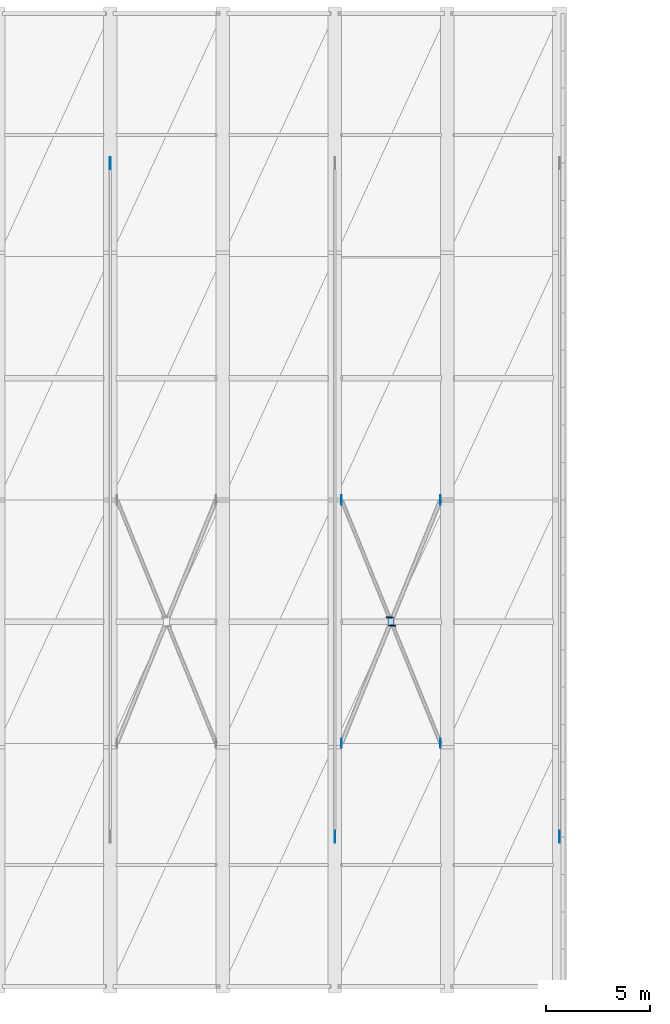
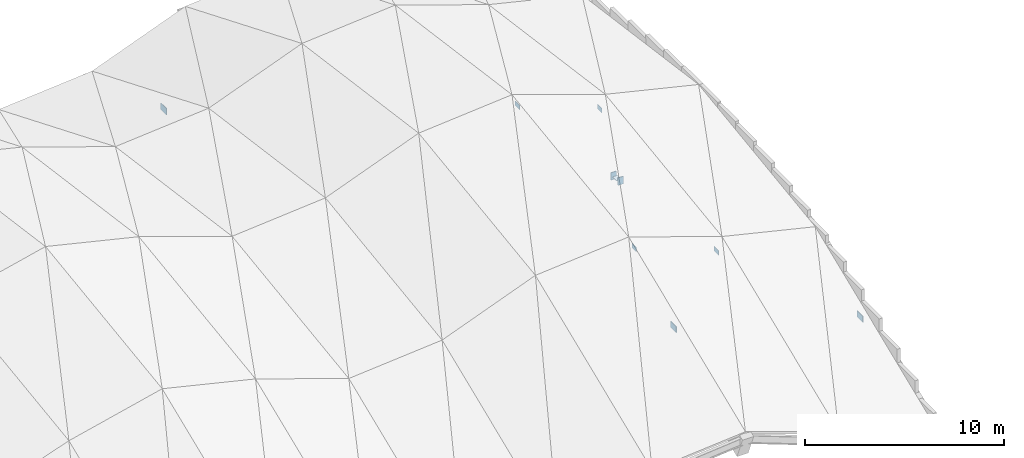
# One storey, part 12 of 22: 10 plates.
"""IFC4 building model written with IfcOpenShell, lengths in metres."""

from ifc_helpers import new_model, si_unit, direction, frame, origin, origin_2d, place, context, subcontext, project, spatial, rectangle, extrude, material, layer, layer_set, type_object, element, save


model = new_model("IFC4")

# Units and contexts
model_context = context("Model", 3, precision=1e-05, world=origin(), true_north=direction((0.0, 1.0)))
body_context = subcontext(model_context, "Body", "Model", "MODEL_VIEW")
ifc_project = project(units=[si_unit("LENGTHUNIT", "METRE"), si_unit("AREAUNIT", "SQUARE_METRE"), si_unit("VOLUMEUNIT", "CUBIC_METRE"), si_unit("PLANEANGLEUNIT", "RADIAN"), si_unit("MASSUNIT", "GRAM", prefix="KILO")], contexts=[model_context])

# Site, building, storey
site_placement = place(None, origin())
site = spatial("IfcSite", under=ifc_project, at=site_placement, CompositionType="ELEMENT")
building_placement = place(site_placement, origin())
building = spatial("IfcBuilding", under=site, at=building_placement, Name="Lusvemor Sports Hall", CompositionType="ELEMENT")
storey_placement = place(building_placement, frame((0.0, 0.0, 23.39990234375)))
storey = spatial("IfcBuildingStorey", under=building, at=storey_placement, Name="Roof", CompositionType="ELEMENT", Elevation=23.39990234375)

# Plates
ifc_material_1 = material(Name="Steel S355", Category="steel")
ifc_layer_1 = layer(ifc_material_1, 0.0400390625)
ifc_layer_set_1 = layer_set([ifc_layer_1], Name="Steel S355")
plate_type_1 = type_object("IfcPlateType", Name="GUSSET_ARCH_A", PredefinedType="USERDEFINED", material=ifc_layer_set_1)
for number, where, z_axis, x_axis, name in (
    (1, (54.0, 39.60009765625, -8.47216796875), (0.0, 0.0, 1.0), (1.0, 0.0, 0.0), "Arch Springing Gusset S10-N"),
    (2, (64.800048828125, 7.199951171875, -5.941650390625), (0.0, 0.0, 1.0), (1.0, 0.0, 0.0), "Arch Springing Gusset S12-S"),
    (3, (75.60009765625, 7.199951171875, -9.09716796875), (0.0, 0.0, 1.0), (1.0, 0.0, 0.0), "Arch Springing Gusset S14-S"),
):
    element("IfcPlate", number, at=place(storey_placement, frame(where, z_axis=z_axis, x_axis=x_axis)), inside=storey, type_object=plate_type_1, Name=name, ObjectType="GUSSET_PLATE", PredefinedType="USERDEFINED", context=body_context, shape_type="SweptSolid", body=[
        extrude(rectangle(XDim=0.0400390625, YDim=0.580078125, at=origin_2d()), origin(), (0.0, 0.0, 1.0), 0.3798828125),
    ])
ifc_material_2 = material(Name="Steel S355", Category="steel")
ifc_layer_2 = layer(ifc_material_2, 0.02001953125)
ifc_layer_set_2 = layer_set([ifc_layer_2], Name="Steel S355")
plate_type_2 = type_object("IfcPlateType", Name="GUSSET_BRACE_C", PredefinedType="USERDEFINED", material=ifc_layer_set_2)
plate_placement = place(storey_placement, frame((67.5, 17.550048828125, -3.880615234375), z_axis=(0.0, 0.0, 1.0), x_axis=(1.0, 0.0, 0.0)))
element("IfcPlate", 4, at=plate_placement, inside=storey, type_object=plate_type_2, Name="Brace Node Gusset V1-13", ObjectType="GUSSET_PLATE", PredefinedType="USERDEFINED", context=body_context, shape_type="SweptSolid", body=[
    extrude(rectangle(XDim=0.2900390625, YDim=0.43994140625, at=origin_2d()), origin(), (0.0, 0.0, 1.0), 0.02001953125),
])
for number, where, z_axis, x_axis, name in (
    (5, (65.1201171875, 11.699951171875, -3.88671875), (0.0, 0.0, 1.0), (1.0, 0.0, 0.0), "Wave Brace Rib Gusset V1-13-A0"),
    (6, (69.8798828125, 23.39990234375, -4.144287109375), (0.0, 0.0, 1.0), (1.0, 0.0, 0.0), "Wave Brace Rib Gusset V1-13-A1"),
    (7, (65.1201171875, 23.39990234375, -2.279296875), (0.0, 0.0, 1.0), (1.0, 0.0, 0.0), "Wave Brace Rib Gusset V1-13-B0"),
    (8, (69.8798828125, 11.699951171875, -5.751708984375), (0.0, 0.0, 1.0), (1.0, 0.0, 0.0), "Wave Brace Rib Gusset V1-13-B1"),
):
    element("IfcPlate", number, at=place(storey_placement, frame(where, z_axis=z_axis, x_axis=x_axis)), inside=storey, type_object=plate_type_2, Name=name, ObjectType="GUSSET_PLATE", PredefinedType="USERDEFINED", context=body_context, shape_type="SweptSolid", body=[
        extrude(rectangle(XDim=0.02001953125, YDim=0.43994140625, at=origin_2d()), origin(), (0.0, 0.0, 1.0), 0.2900390625),
    ])
ifc_material_3 = material(Name="Steel S355", Category="steel")
ifc_layer_3 = layer(ifc_material_3, 0.050048828125)
ifc_layer_set_3 = layer_set([ifc_layer_3], Name="Steel S355")
plate_type_3 = type_object("IfcPlateType", Name="GUSSET_SAW_E", PredefinedType="USERDEFINED", material=ifc_layer_set_3)
for number, where, z_axis, x_axis, name in (
    (9, (67.41650390625, 17.75537109375, -4.03955078125), (0.0, 0.0, 1.0), (1.0, 0.0, 0.0), "X-Brace Splice End Gusset V1-13-1"),
    (10, (67.58349609375, 17.344482421875, -4.161376953125), (0.0, 0.0, 1.0), (1.0, 0.0, 0.0), "X-Brace Splice End Gusset V1-13-2"),
):
    element("IfcPlate", number, at=place(storey_placement, frame(where, z_axis=z_axis, x_axis=x_axis)), inside=storey, type_object=plate_type_3, Name=name, ObjectType="GUSSET_PLATE", PredefinedType="USERDEFINED", context=body_context, shape_type="SweptSolid", body=[
        extrude(rectangle(XDim=0.300048828125, YDim=0.050048828125, at=origin_2d()), origin(), (0.0, 0.0, 1.0), 0.4599609375),
    ])

save(model, "model.ifc")
